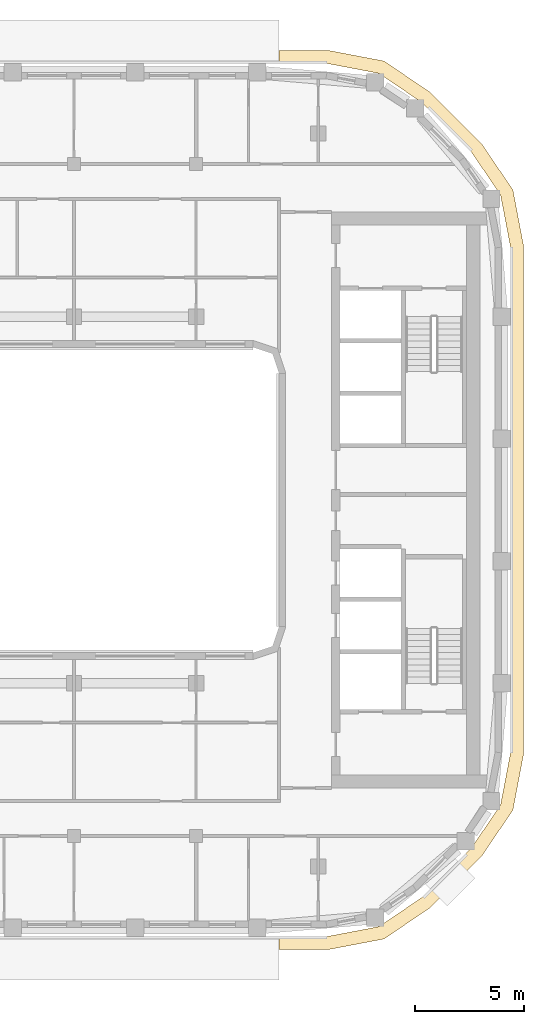
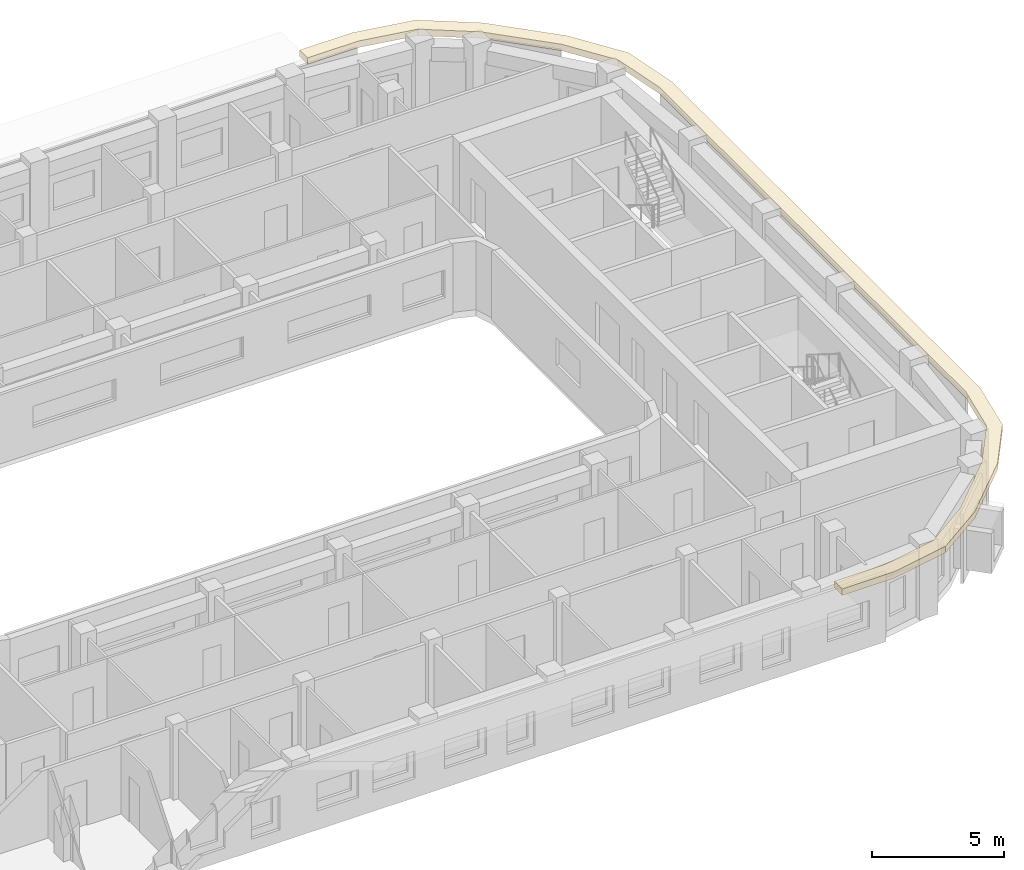
# One storey, part 14 of 16: 1 covering.
"""IFC4 building model written with IfcOpenShell, lengths in metres."""

from ifc_helpers import new_model, si_unit, direction, frame, origin, place, context, subcontext, project, spatial, polyline, outline, extrude, material, layer, layer_set, type_object, element, save


model = new_model("IFC4")

# Units and contexts
model_context = context("Model", 3, precision=1e-05, world=origin(), true_north=direction((0.0, 1.0)))
body_context = subcontext(model_context, "Body", "Model", "MODEL_VIEW")
ifc_project = project(units=[si_unit("LENGTHUNIT", "METRE"), si_unit("AREAUNIT", "SQUARE_METRE"), si_unit("VOLUMEUNIT", "CUBIC_METRE"), si_unit("PLANEANGLEUNIT", "RADIAN"), si_unit("MASSUNIT", "GRAM", prefix="KILO")], contexts=[model_context])

# Site, building, storey
site_placement = place(None, origin())
site = spatial("IfcSite", under=ifc_project, at=site_placement, CompositionType="ELEMENT")
building_placement = place(site_placement, origin())
building = spatial("IfcBuilding", under=site, at=building_placement, Name="Kiln Ring Residences", CompositionType="ELEMENT")
storey_placement = place(building_placement, frame((0.0, 0.0, 245.199951171875)))
storey = spatial("IfcBuildingStorey", under=building, at=storey_placement, Name="L63", CompositionType="ELEMENT", Elevation=245.199951171875)

# Covering
ifc_material = material(Name="Black powder-coated steel", Category="steel")
ifc_layer = layer(ifc_material, 0.300048828125)
ifc_layer_set = layer_set([ifc_layer], Name="SUNSHADE FIN 600")
covering_type = type_object("IfcCoveringType", Name="SUNSHADE FIN 600", PredefinedType="CLADDING", material=ifc_layer_set)
covering_placement = place(storey_placement, frame((0.0, 0.0, 3.199951171875)))
element("IfcCovering", 1, at=covering_placement, inside=storey, type_object=covering_type, Name="SUNSHADE FIN L63", PredefinedType="CLADDING", context=body_context, shape_type="SweptSolid", body=[
    extrude(outline(polyline([(17.29443359375, 20.60009765625), (15.0, 20.60009765625), (15.0, 20.0), (17.23779296875, 20.0), (19.58056640625, 19.552978515625), (21.55322265625, 18.21240234375), (23.8125, 15.953125), (25.153076171875, 13.980712890625), (25.60009765625, 11.6376953125), (25.60009765625, -11.6376953125), (25.153076171875, -13.980712890625), (23.8125, -15.953125), (21.55322265625, -18.21240234375), (19.58056640625, -19.552978515625), (17.23779296875, -20.0), (15.0, -20.0), (15.0, -20.60009765625), (17.29443359375, -20.60009765625), (19.815185546875, -20.119140625), (21.937255859375, -18.677001953125), (24.27685546875, -16.33740234375), (25.71923828125, -14.215087890625), (26.199951171875, -11.694580078125), (26.199951171875, 11.694580078125), (25.71923828125, 14.215087890625), (24.27685546875, 16.33740234375), (21.937255859375, 18.677001953125), (19.815185546875, 20.119140625), (17.29443359375, 20.60009765625)])), origin(), (0.0, 0.0, 1.0), 0.300048828125),
])

save(model, "model.ifc")
